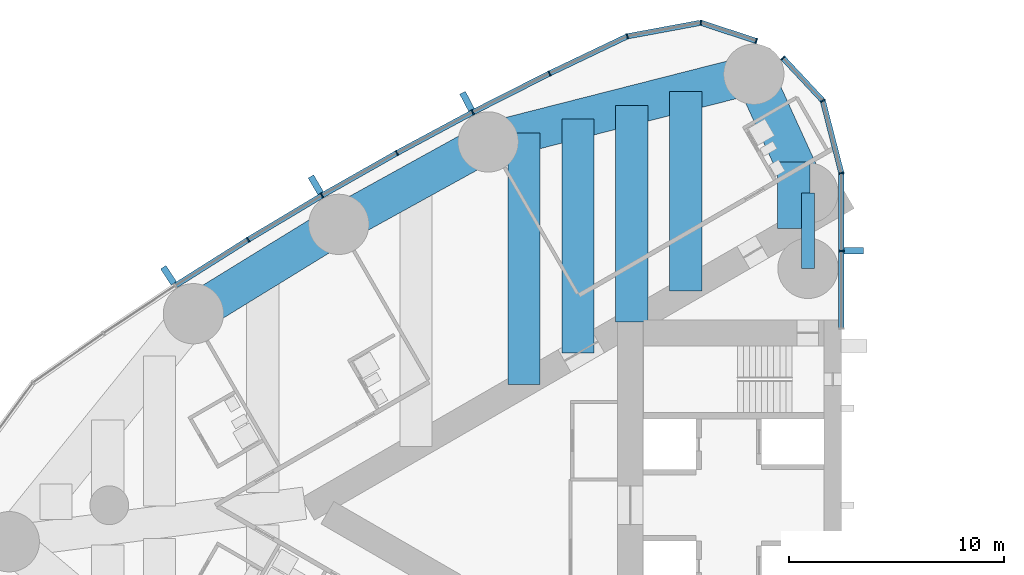
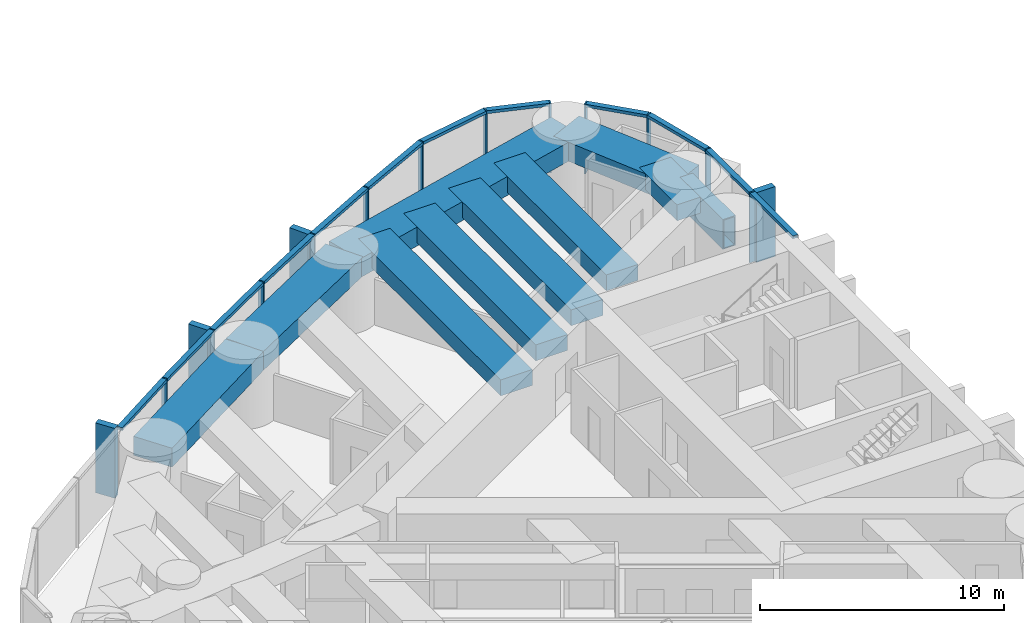
# One storey, part 5 of 19: 28 members, 10 beams, 2 elements without a shape of their own.
"""IFC4 building model written with IfcOpenShell, lengths in metres."""

from ifc_helpers import new_model, si_unit, direction, frame, origin, origin_2d, place, context, subcontext, project, spatial, rectangle, hollow_rectangle, extrude, material, material_profile, profile_set, type_object, element, aggregate, save


model = new_model("IFC4")

# Units and contexts
model_context = context("Model", 3, precision=1e-05, world=origin(), true_north=direction((0.0, 1.0)))
body_context = subcontext(model_context, "Body", "Model", "MODEL_VIEW")
ifc_project = project(units=[si_unit("LENGTHUNIT", "METRE"), si_unit("AREAUNIT", "SQUARE_METRE"), si_unit("VOLUMEUNIT", "CUBIC_METRE"), si_unit("PLANEANGLEUNIT", "RADIAN"), si_unit("MASSUNIT", "GRAM", prefix="KILO")], contexts=[model_context])

# Site, building, storey
site_placement = place(None, origin())
site = spatial("IfcSite", under=ifc_project, at=site_placement, CompositionType="ELEMENT")
building_placement = place(site_placement, origin())
building = spatial("IfcBuilding", under=site, at=building_placement, Name="Lancet Gate Hotel", CompositionType="ELEMENT")
storey_placement = place(building_placement, frame((0.0, 0.0, 184.300048828125)))
storey = spatial("IfcBuildingStorey", under=building, at=storey_placement, Name="L49", CompositionType="ELEMENT", Elevation=184.300048828125)

# Curtain wall, members
ifc_material_1 = material(Name="Aluminium curtain wall", Category="aluminium")
curtain_wall_type = type_object("IfcCurtainWallType", Name="Tower unitised curtain wall", PredefinedType="USERDEFINED", material=ifc_material_1)
curtain_wall_1_placement = place(storey_placement, origin())
curtain_wall_1 = element("IfcCurtainWall", 1, at=curtain_wall_1_placement, inside=storey, type_object=curtain_wall_type, Name="T1 L49 curtain wall 1", ObjectType="UNITISED CURTAIN WALL", PredefinedType="USERDEFINED")
ifc_material_2 = material(Name="Aluminium mullion", Category="aluminium")
ifc_material_profile_1 = material_profile(ifc_material_2, rectangle(XDim=0.06494140625, YDim=0.25, at=origin_2d()), Name="MULLION 65x250")
ifc_profile_set_1 = profile_set([ifc_material_profile_1], Name="Aluminium mullion")
member_type_1 = type_object("IfcMemberType", Name="Aluminium mullion 65x250", PredefinedType="MULLION", material=ifc_profile_set_1)
member_1_placement = place(storey_placement, frame((-27.5, 11.811767578125, 0.0), z_axis=(0.0, 0.0, 1.0), x_axis=(0.0, 1.0, 0.0)))
member_1 = element("IfcMember", 2, at=member_1_placement, type_object=member_type_1, Name="T1 L49 curtain wall 1 mullion 2", PredefinedType="MULLION", context=body_context, shape_type="SweptSolid", body=[
    extrude(rectangle(XDim=0.06494140625, YDim=0.25, at=origin_2d()), origin(), (0.0, 0.0, 1.0), 3.5),
])
member_2_placement = place(storey_placement, frame((-27.5, 15.42333984375, 0.0), z_axis=(0.0, 0.0, 1.0), x_axis=(-0.122467472845, 0.992472527627, 0.0)))
member_2 = element("IfcMember", 3, at=member_2_placement, type_object=member_type_1, Name="T1 L49 curtain wall 1 mullion 3", PredefinedType="MULLION", context=body_context, shape_type="SweptSolid", body=[
    extrude(rectangle(XDim=0.06494140625, YDim=0.25, at=origin_2d()), origin(), (0.0, 0.0, 1.0), 3.5),
])
member_3_placement = place(storey_placement, frame((-28.360595703125, 18.7861328125, 0.0), z_axis=(0.0, 0.0, 1.0), x_axis=(-0.452507601198, 0.891760545695, 0.0)))
member_3 = element("IfcMember", 4, at=member_3_placement, type_object=member_type_1, Name="T1 L49 curtain wall 1 mullion 4", PredefinedType="MULLION", context=body_context, shape_type="SweptSolid", body=[
    extrude(rectangle(XDim=0.06494140625, YDim=0.25, at=origin_2d()), origin(), (0.0, 0.0, 1.0), 3.5),
])
member_4_placement = place(storey_placement, frame((-30.210693359375, 20.765625, 0.0), z_axis=(0.0, 0.0, 1.0), x_axis=(-0.682844962172, 0.730563315282, 0.0)))
member_4 = element("IfcMember", 5, at=member_4_placement, type_object=member_type_1, Name="T1 L49 curtain wall 1 mullion 5", PredefinedType="MULLION", context=body_context, shape_type="SweptSolid", body=[
    extrude(rectangle(XDim=0.06494140625, YDim=0.25, at=origin_2d()), origin(), (0.0, 0.0, 1.0), 3.5),
])

curtain_wall_2_placement = place(storey_placement, origin())
curtain_wall_2 = element("IfcCurtainWall", 6, at=curtain_wall_2_placement, inside=storey, type_object=curtain_wall_type, Name="T1 L49 curtain wall 2", ObjectType="UNITISED CURTAIN WALL", PredefinedType="USERDEFINED")
member_5_placement = place(storey_placement, frame((-31.45263671875, 21.5595703125, 0.0), z_axis=(0.0, 0.0, 1.0), x_axis=(-0.949848055084, 0.312711803827, 0.0)))
member_5 = element("IfcMember", 7, at=member_5_placement, type_object=member_type_1, Name="T1 L49 curtain wall 2 mullion 1", PredefinedType="MULLION", context=body_context, shape_type="SweptSolid", body=[
    extrude(rectangle(XDim=0.06494140625, YDim=0.25, at=origin_2d()), origin(), (0.0, 0.0, 1.0), 3.5),
])
member_6_placement = place(storey_placement, frame((-34.02783203125, 22.407470703125, 0.0), z_axis=(0.0, 0.0, 1.0), x_axis=(-0.999350473622, 0.036036521361, 0.0)))
member_6 = element("IfcMember", 8, at=member_6_placement, type_object=member_type_1, Name="T1 L49 curtain wall 2 mullion 2", PredefinedType="MULLION", context=body_context, shape_type="SweptSolid", body=[
    extrude(rectangle(XDim=0.06494140625, YDim=0.25, at=origin_2d()), origin(), (0.0, 0.0, 1.0), 3.5),
])
member_7_placement = place(storey_placement, frame((-37.44091796875, 21.775634765625, 0.0), z_axis=(0.0, 0.0, 1.0), x_axis=(-0.948119321052, -0.317914694609, 0.0)))
member_7 = element("IfcMember", 9, at=member_7_placement, type_object=member_type_1, Name="T1 L49 curtain wall 2 mullion 3", PredefinedType="MULLION", context=body_context, shape_type="SweptSolid", body=[
    extrude(rectangle(XDim=0.06494140625, YDim=0.25, at=origin_2d()), origin(), (0.0, 0.0, 1.0), 3.5),
])
member_8_placement = place(storey_placement, frame((-41.0498046875, 20.052978515625, 0.0), z_axis=(0.0, 0.0, 1.0), x_axis=(-0.897324392142, -0.441371652088, 0.0)))
member_8 = element("IfcMember", 10, at=member_8_placement, type_object=member_type_1, Name="T1 L49 curtain wall 2 mullion 4", PredefinedType="MULLION", context=body_context, shape_type="SweptSolid", body=[
    extrude(rectangle(XDim=0.06494140625, YDim=0.25, at=origin_2d()), origin(), (0.0, 0.0, 1.0), 3.5),
])
member_9_placement = place(storey_placement, frame((-44.6171875, 18.245849609375, 0.0), z_axis=(0.0, 0.0, 1.0), x_axis=(-0.886694440064, -0.462355891019, 0.0)))
member_9 = element("IfcMember", 11, at=member_9_placement, type_object=member_type_1, Name="T1 L49 curtain wall 2 mullion 5", PredefinedType="MULLION", context=body_context, shape_type="SweptSolid", body=[
    extrude(rectangle(XDim=0.06494140625, YDim=0.25, at=origin_2d()), origin(), (0.0, 0.0, 1.0), 3.5),
])
member_10_placement = place(storey_placement, frame((-48.140869140625, 16.355224609375, 0.0), z_axis=(0.0, 0.0, 1.0), x_axis=(-0.87557384965, -0.483084292654, 0.0)))
member_10 = element("IfcMember", 12, at=member_10_placement, type_object=member_type_1, Name="T1 L49 curtain wall 2 mullion 6", PredefinedType="MULLION", context=body_context, shape_type="SweptSolid", body=[
    extrude(rectangle(XDim=0.06494140625, YDim=0.25, at=origin_2d()), origin(), (0.0, 0.0, 1.0), 3.5),
])
member_11_placement = place(storey_placement, frame((-51.619384765625, 14.38232421875, 0.0), z_axis=(0.0, 0.0, 1.0), x_axis=(-0.863968774311, -0.503545387245, 0.0)))
member_11 = element("IfcMember", 13, at=member_11_placement, type_object=member_type_1, Name="T1 L49 curtain wall 2 mullion 7", PredefinedType="MULLION", context=body_context, shape_type="SweptSolid", body=[
    extrude(rectangle(XDim=0.06494140625, YDim=0.25, at=origin_2d()), origin(), (0.0, 0.0, 1.0), 3.5),
])
member_12_placement = place(storey_placement, frame((-55.05029296875, 12.328369140625, 0.0), z_axis=(0.0, 0.0, 1.0), x_axis=(-0.851885635531, -0.52372785297, 0.0)))
member_12 = element("IfcMember", 14, at=member_12_placement, type_object=member_type_1, Name="T1 L49 curtain wall 2 mullion 8", PredefinedType="MULLION", context=body_context, shape_type="SweptSolid", body=[
    extrude(rectangle(XDim=0.06494140625, YDim=0.25, at=origin_2d()), origin(), (0.0, 0.0, 1.0), 3.5),
])

# Member
ifc_material_3 = material(Name="Aluminium transom", Category="aluminium")
ifc_material_profile_2 = material_profile(ifc_material_3, rectangle(XDim=0.25, YDim=0.14990234375, at=origin_2d()), Name="TRANSOM 250x150")
ifc_profile_set_2 = profile_set([ifc_material_profile_2], Name="Aluminium transom")
member_type_2 = type_object("IfcMemberType", Name="Aluminium transom 250x150", PredefinedType="USERDEFINED", material=ifc_profile_set_2)
member_13_placement = place(storey_placement, frame((-27.5, 8.232421875, 3.425048828125), z_axis=(0.0, 1.0, 0.0), x_axis=(-1.0, 0.0, 0.0)))
member_13 = element("IfcMember", 15, at=member_13_placement, type_object=member_type_2, Name="T1 L49 curtain wall 1 transom 1", ObjectType="TRANSOM", PredefinedType="USERDEFINED", context=body_context, shape_type="SweptSolid", body=[
    extrude(rectangle(XDim=0.25, YDim=0.14990234375, at=origin_2d()), origin(), (0.0, 0.0, 1.0), 3.546875),
])

member_14_placement = place(storey_placement, frame((-27.5, 11.84423828125, 3.425048828125), z_axis=(0.0, 1.0, 0.0), x_axis=(-1.0, 0.0, 0.0)))
member_14 = element("IfcMember", 16, at=member_14_placement, type_object=member_type_2, Name="T1 L49 curtain wall 1 transom 2", ObjectType="TRANSOM", PredefinedType="USERDEFINED", context=body_context, shape_type="SweptSolid", body=[
    extrude(rectangle(XDim=0.25, YDim=0.14990234375, at=origin_2d()), origin(), (0.0, 0.0, 1.0), 3.546630859375),
])

member_15_placement = place(storey_placement, frame((-27.508056640625, 15.454833984375, 3.425048828125), z_axis=(-0.247928683912, 0.968778286139, 0.0), x_axis=(-0.968778286139, -0.247928683912, 0.0)))
member_15 = element("IfcMember", 17, at=member_15_placement, type_object=member_type_2, Name="T1 L49 curtain wall 1 transom 3", ObjectType="TRANSOM", PredefinedType="USERDEFINED", context=body_context, shape_type="SweptSolid", body=[
    extrude(rectangle(XDim=0.25, YDim=0.14990234375, at=origin_2d()), origin(), (0.0, 0.0, 1.0), 3.40625),
])

member_16_placement = place(storey_placement, frame((-28.3828125, 18.809814453125, 3.425048828125), z_axis=(-0.682841037959, 0.730566983157, 0.0), x_axis=(-0.730566983157, -0.682841037959, 0.0)))
member_16 = element("IfcMember", 18, at=member_16_placement, type_object=member_type_2, Name="T1 L49 curtain wall 1 transom 4", ObjectType="TRANSOM", PredefinedType="USERDEFINED", context=body_context, shape_type="SweptSolid", body=[
    extrude(rectangle(XDim=0.25, YDim=0.14990234375, at=origin_2d()), origin(), (0.0, 0.0, 1.0), 2.644775390625),
])

member_17_placement = place(storey_placement, frame((-31.483642578125, 21.56982421875, 3.425048828125), z_axis=(-0.949857661259, 0.312682623993, 0.0), x_axis=(-0.312682623993, -0.949857661259, 0.0)))
member_17 = element("IfcMember", 19, at=member_17_placement, type_object=member_type_2, Name="T1 L49 curtain wall 2 transom 1", ObjectType="TRANSOM", PredefinedType="USERDEFINED", context=body_context, shape_type="SweptSolid", body=[
    extrude(rectangle(XDim=0.25, YDim=0.14990234375, at=origin_2d()), origin(), (0.0, 0.0, 1.0), 2.64599609375),
])

member_18_placement = place(storey_placement, frame((-34.059814453125, 22.401611328125, 3.425048828125), z_axis=(-0.983286757871, -0.182063592724, 0.0), x_axis=(0.182063592724, -0.983286757871, 0.0)))
member_18 = element("IfcMember", 20, at=member_18_placement, type_object=member_type_2, Name="T1 L49 curtain wall 2 transom 2", ObjectType="TRANSOM", PredefinedType="USERDEFINED", context=body_context, shape_type="SweptSolid", body=[
    extrude(rectangle(XDim=0.25, YDim=0.14990234375, at=origin_2d()), origin(), (0.0, 0.0, 1.0), 3.406005859375),
])

member_19_placement = place(storey_placement, frame((-37.47021484375, 21.761474609375, 3.425048828125), z_axis=(-0.902468975385, -0.430754858902, 0.0), x_axis=(0.430754858902, -0.902468975385, 0.0)))
member_19 = element("IfcMember", 21, at=member_19_placement, type_object=member_type_2, Name="T1 L49 curtain wall 2 transom 3", ObjectType="TRANSOM", PredefinedType="USERDEFINED", context=body_context, shape_type="SweptSolid", body=[
    extrude(rectangle(XDim=0.25, YDim=0.14990234375, at=origin_2d()), origin(), (0.0, 0.0, 1.0), 3.93408203125),
])

member_20_placement = place(storey_placement, frame((-41.078857421875, 20.0380859375, 3.425048828125), z_axis=(-0.892081477453, -0.451874581699, 0.0), x_axis=(0.451874581699, -0.892081477453, 0.0)))
member_20 = element("IfcMember", 22, at=member_20_placement, type_object=member_type_2, Name="T1 L49 curtain wall 2 transom 4", ObjectType="TRANSOM", PredefinedType="USERDEFINED", context=body_context, shape_type="SweptSolid", body=[
    extrude(rectangle(XDim=0.25, YDim=0.14990234375, at=origin_2d()), origin(), (0.0, 0.0, 1.0), 3.933837890625),
])

member_21_placement = place(storey_placement, frame((-44.645751953125, 18.23046875, 3.425048828125), z_axis=(-0.881185491994, -0.472770693571, 0.0), x_axis=(0.472770693571, -0.881185491994, 0.0)))
member_21 = element("IfcMember", 23, at=member_21_placement, type_object=member_type_2, Name="T1 L49 curtain wall 2 transom 5", ObjectType="TRANSOM", PredefinedType="USERDEFINED", context=body_context, shape_type="SweptSolid", body=[
    extrude(rectangle(XDim=0.25, YDim=0.14990234375, at=origin_2d()), origin(), (0.0, 0.0, 1.0), 3.93408203125),
])

member_22_placement = place(storey_placement, frame((-48.169189453125, 16.33935546875, 3.425048828125), z_axis=(-0.869819807367, -0.493369539709, 0.0), x_axis=(0.493369539709, -0.869819807367, 0.0)))
member_22 = element("IfcMember", 24, at=member_22_placement, type_object=member_type_2, Name="T1 L49 curtain wall 2 transom 6", ObjectType="TRANSOM", PredefinedType="USERDEFINED", context=body_context, shape_type="SweptSolid", body=[
    extrude(rectangle(XDim=0.25, YDim=0.14990234375, at=origin_2d()), origin(), (0.0, 0.0, 1.0), 3.93408203125),
])

member_23_placement = place(storey_placement, frame((-51.647216796875, 14.36572265625, 3.425048828125), z_axis=(-0.857985365092, -0.513674131419, 0.0), x_axis=(0.513674131419, -0.857985365092, 0.0)))
member_23 = element("IfcMember", 25, at=member_23_placement, type_object=member_type_2, Name="T1 L49 curtain wall 2 transom 7", ObjectType="TRANSOM", PredefinedType="USERDEFINED", context=body_context, shape_type="SweptSolid", body=[
    extrude(rectangle(XDim=0.25, YDim=0.14990234375, at=origin_2d()), origin(), (0.0, 0.0, 1.0), 3.933837890625),
])

member_24_placement = place(storey_placement, frame((-55.077880859375, 12.31103515625, 3.425048828125), z_axis=(-0.845671711095, -0.53370343549, 0.0), x_axis=(0.53370343549, -0.845671711095, 0.0)))
member_24 = element("IfcMember", 26, at=member_24_placement, type_object=member_type_2, Name="T1 L49 curtain wall 2 transom 8", ObjectType="TRANSOM", PredefinedType="USERDEFINED", context=body_context, shape_type="SweptSolid", body=[
    extrude(rectangle(XDim=0.25, YDim=0.14990234375, at=origin_2d()), origin(), (0.0, 0.0, 1.0), 3.93408203125),
])

# Beams
ifc_material_4 = material(Name="Concrete C50/60", Category="concrete")
ifc_material_profile_3 = material_profile(ifc_material_4, rectangle(XDim=1.800048828125, YDim=0.949951171875, at=origin_2d()), Name="RC 1800x950")
ifc_profile_set_3 = profile_set([ifc_material_profile_3], Name="Concrete C50/60")
beam_type_1 = type_object("IfcBeamType", Name="Edge beam RC 1800x950", PredefinedType="SPANDREL", material=ifc_profile_set_3)
beam_1_placement = place(storey_placement, frame((-31.5654296875, 20.015869140625, 2.77490234375), z_axis=(-0.969008414312, -0.247027717052, 0.0), x_axis=(0.247027717052, -0.969008414312, 0.0)))
element("IfcBeam", 27, at=beam_1_placement, inside=storey, type_object=beam_type_1, Name="T1 edge beam EB1 L49", PredefinedType="SPANDREL", context=body_context, shape_type="SweptSolid", body=[
    extrude(rectangle(XDim=1.800048828125, YDim=0.949951171875, at=origin_2d()), origin(), (0.0, 0.0, 1.0), 12.7294921875),
])
beam_2_placement = place(storey_placement, frame((-43.900390625, 16.871337890625, 2.77490234375), z_axis=(-0.875577684027, -0.483077342911, 0.0), x_axis=(0.483077342911, -0.875577684027, 0.0)))
element("IfcBeam", 28, at=beam_2_placement, inside=storey, type_object=beam_type_1, Name="T1 edge beam EB1 L49", PredefinedType="SPANDREL", context=body_context, shape_type="SweptSolid", body=[
    extrude(rectangle(XDim=1.800048828125, YDim=0.949951171875, at=origin_2d()), origin(), (0.0, 0.0, 1.0), 7.924560546875),
])
beam_3_placement = place(storey_placement, frame((-50.8388671875, 13.043212890625, 2.77490234375), z_axis=(-0.851892008043, -0.523717487423, 0.0), x_axis=(0.523717487423, -0.851892008043, 0.0)))
element("IfcBeam", 29, at=beam_3_placement, inside=storey, type_object=beam_type_1, Name="T1 edge beam EB1 L49", PredefinedType="SPANDREL", context=body_context, shape_type="SweptSolid", body=[
    extrude(rectangle(XDim=1.800048828125, YDim=0.949951171875, at=origin_2d()), origin(), (0.0, 0.0, 1.0), 7.92431640625),
])
beam_4_placement = place(storey_placement, frame((-31.5654296875, 20.015869140625, 2.77490234375), z_axis=(0.414919206993, -0.909858259109, 0.0), x_axis=(0.909858259109, 0.414919206993, 0.0)))
element("IfcBeam", 30, at=beam_4_placement, inside=storey, type_object=beam_type_1, Name="T1 edge beam EB1 L49", PredefinedType="SPANDREL", context=body_context, shape_type="SweptSolid", body=[
    extrude(rectangle(XDim=1.800048828125, YDim=0.949951171875, at=origin_2d()), origin(), (0.0, 0.0, 1.0), 6.062255859375),
])

# Member
ifc_material_5 = material(Name="Precast concrete C50/60", Category="concrete")
ifc_material_profile_4 = material_profile(ifc_material_5, rectangle(XDim=0.300048828125, YDim=0.89990234375, at=origin_2d()), Name="FIN 300x900")
ifc_profile_set_4 = profile_set([ifc_material_profile_4], Name="Precast concrete C50/60")
member_type_3 = type_object("IfcMemberType", Name="Exposed concrete fin 300x900", PredefinedType="USERDEFINED", material=ifc_profile_set_4)
member_25_placement = place(storey_placement, frame((-26.925048828125, 11.811767578125, 0.0), z_axis=(0.0, 0.0, 1.0), x_axis=(0.0, 1.0, 0.0)))
member_25 = element("IfcMember", 31, at=member_25_placement, type_object=member_type_3, Name="T1 L49 curtain wall 1 fin 2", ObjectType="FIN", PredefinedType="USERDEFINED", context=body_context, shape_type="SweptSolid", body=[
    extrude(rectangle(XDim=0.300048828125, YDim=0.89990234375, at=origin_2d()), origin(), (0.0, 0.0, 1.0), 3.5),
])

aggregate(curtain_wall_1, [member_1, member_25, member_2, member_3, member_4, member_13, member_14, member_15, member_16])

member_26_placement = place(storey_placement, frame((-44.883056640625, 18.755615234375, 0.0), z_axis=(0.0, 0.0, 1.0), x_axis=(-0.886694440064, -0.462355891019, 0.0)))
member_26 = element("IfcMember", 32, at=member_26_placement, type_object=member_type_3, Name="T1 L49 curtain wall 2 fin 5", ObjectType="FIN", PredefinedType="USERDEFINED", context=body_context, shape_type="SweptSolid", body=[
    extrude(rectangle(XDim=0.300048828125, YDim=0.89990234375, at=origin_2d()), origin(), (0.0, 0.0, 1.0), 3.5),
])

member_27_placement = place(storey_placement, frame((-51.908935546875, 14.879150390625, 0.0), z_axis=(0.0, 0.0, 1.0), x_axis=(-0.863968774311, -0.503545387245, 0.0)))
member_27 = element("IfcMember", 33, at=member_27_placement, type_object=member_type_3, Name="T1 L49 curtain wall 2 fin 7", ObjectType="FIN", PredefinedType="USERDEFINED", context=body_context, shape_type="SweptSolid", body=[
    extrude(rectangle(XDim=0.300048828125, YDim=0.89990234375, at=origin_2d()), origin(), (0.0, 0.0, 1.0), 3.5),
])

member_28_placement = place(storey_placement, frame((-58.74462890625, 10.6767578125, 0.0), z_axis=(0.0, 0.0, 1.0), x_axis=(-0.839331119324, -0.54362052218, 0.0)))
member_28 = element("IfcMember", 34, at=member_28_placement, type_object=member_type_3, Name="T1 L49 curtain wall 2 fin 9", ObjectType="FIN", PredefinedType="USERDEFINED", context=body_context, shape_type="SweptSolid", body=[
    extrude(rectangle(XDim=0.300048828125, YDim=0.89990234375, at=origin_2d()), origin(), (0.0, 0.0, 1.0), 3.5),
])

aggregate(curtain_wall_2, [member_5, member_6, member_7, member_8, member_9, member_26, member_10, member_11, member_27, member_12, member_28, member_17, member_18, member_19, member_20, member_21, member_22, member_23, member_24])

# Beams
ifc_material_6 = material(Name="Concrete C50/60", Category="concrete")
ifc_material_profile_5 = material_profile(ifc_material_6, rectangle(XDim=1.5, YDim=0.800048828125, at=origin_2d()), Name="RC 1500x800")
ifc_profile_set_5 = profile_set([ifc_material_profile_5], Name="Concrete C50/60")
beam_type_2 = type_object("IfcBeamType", Name="Floor beam RC 1500x800", PredefinedType="BEAM", material=ifc_profile_set_5)
beam_5_placement = place(storey_placement, frame((-29.706787109375, 15.940185546875, 2.849853515625), z_axis=(0.0, -1.0, 0.0), x_axis=(1.0, 0.0, 0.0)))
element("IfcBeam", 35, at=beam_5_placement, inside=storey, type_object=beam_type_2, Name="T1 floor beam F01S L49", PredefinedType="BEAM", context=body_context, shape_type="SweptSolid", body=[
    extrude(rectangle(XDim=1.5, YDim=0.800048828125, at=origin_2d()), origin(), (0.0, 0.0, 1.0), 3.087646484375),
])
beam_6_placement = place(storey_placement, frame((-34.720458984375, 19.211669921875, 2.849853515625), z_axis=(0.0, -1.0, 0.0), x_axis=(1.0, 0.0, 0.0)))
element("IfcBeam", 36, at=beam_6_placement, inside=storey, type_object=beam_type_2, Name="T1 floor beam F03S L49", PredefinedType="BEAM", context=body_context, shape_type="SweptSolid", body=[
    extrude(rectangle(XDim=1.5, YDim=0.800048828125, at=origin_2d()), origin(), (0.0, 0.0, 1.0), 9.253662109375),
])
beam_7_placement = place(storey_placement, frame((-37.227294921875, 18.572509765625, 2.849853515625), z_axis=(0.0, -1.0, 0.0), x_axis=(1.0, 0.0, 0.0)))
element("IfcBeam", 37, at=beam_7_placement, inside=storey, type_object=beam_type_2, Name="T1 floor beam F04S L49", PredefinedType="BEAM", context=body_context, shape_type="SweptSolid", body=[
    extrude(rectangle(XDim=1.5, YDim=0.800048828125, at=origin_2d()), origin(), (0.0, 0.0, 1.0), 10.061767578125),
])
beam_8_placement = place(storey_placement, frame((-39.734130859375, 17.93359375, 2.849853515625), z_axis=(0.0, -1.0, 0.0), x_axis=(1.0, 0.0, 0.0)))
element("IfcBeam", 38, at=beam_8_placement, inside=storey, type_object=beam_type_2, Name="T1 floor beam F06S L49", PredefinedType="BEAM", context=body_context, shape_type="SweptSolid", body=[
    extrude(rectangle(XDim=1.5, YDim=0.800048828125, at=origin_2d()), origin(), (0.0, 0.0, 1.0), 10.8701171875),
])
beam_9_placement = place(storey_placement, frame((-42.240966796875, 17.29443359375, 2.849853515625), z_axis=(0.0, -1.0, 0.0), x_axis=(1.0, 0.0, 0.0)))
element("IfcBeam", 39, at=beam_9_placement, inside=storey, type_object=beam_type_2, Name="T1 floor beam F07S L49", PredefinedType="BEAM", context=body_context, shape_type="SweptSolid", body=[
    extrude(rectangle(XDim=1.5, YDim=0.800048828125, at=origin_2d()), origin(), (0.0, 0.0, 1.0), 11.678466796875),
])
ifc_material_7 = material(Name="Steel S460QL", Category="steel")
ifc_material_profile_6 = material_profile(ifc_material_7, hollow_rectangle(XDim=0.60009765625, YDim=1.5, WallThickness=0.050048828125, at=origin_2d()), Name="BOX 1500x600x50")
ifc_profile_set_6 = profile_set([ifc_material_profile_6], Name="Steel S460QL")
beam_type_3 = type_object("IfcBeamType", Name="Inner-face link beam BOX 1500x600x50", PredefinedType="BEAM", material=ifc_profile_set_6)
beam_10_placement = place(storey_placement, frame((-29.050048828125, 14.5, 2.5), z_axis=(0.0, -1.0, 0.0), x_axis=(1.0, 0.0, 0.0)))
element("IfcBeam", 40, at=beam_10_placement, inside=storey, type_object=beam_type_3, Name="T1 inner-face link beam LK1 L49", PredefinedType="BEAM", context=body_context, shape_type="SweptSolid", body=[
    extrude(hollow_rectangle(XDim=0.60009765625, YDim=1.5, WallThickness=0.050048828125, at=origin_2d()), origin(), (0.0, 0.0, 1.0), 3.5),
])

save(model, "model.ifc")
